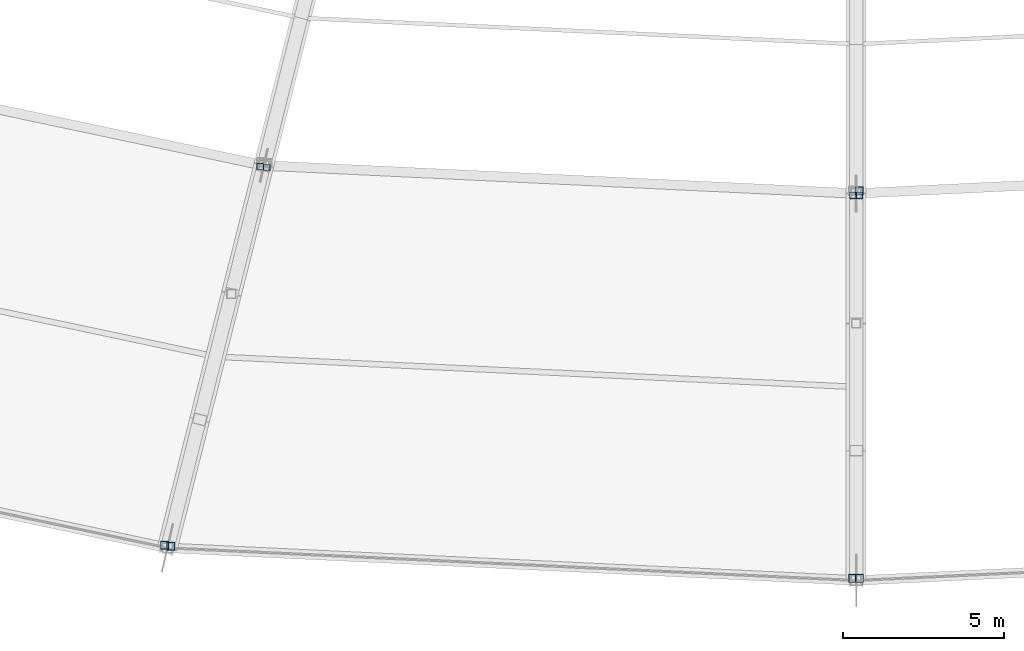
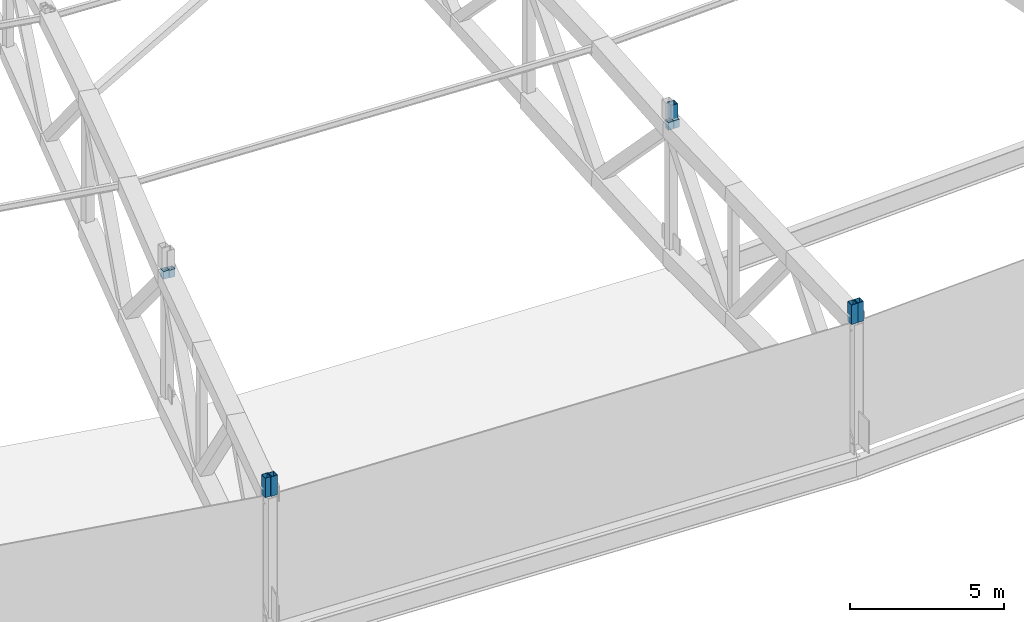
# One storey, part 97 of 162: 9 members.
"""IFC4 building model written with IfcOpenShell, lengths in metres."""

import ifcopenshell
import ifcopenshell.guid

model = None  # the IFC model being written
_history = None  # IfcOwnerHistory: only IFC2X3 demands one
_inside = {}  # id of a spatial element -> (the spatial element, [elements in it])
_under = {}  # id of a project, library or spatial element -> (it, [spatial elements below it])
_declared = {}  # id of a project -> (the project, [libraries it declares])
_typed = {}  # id of a type object -> (the type object, [elements of that type])
_made_of = {}  # id of a material, layer set ... -> (it, [elements and type objects made of it])


def new_model(schema):
    """Start an empty IFC model of exactly this schema.

    Asked for "IFC4X3", IfcOpenShell would pick the latest addendum, in which some entities
    have other attributes; the version numbers below select the first issue.
    IFC2X3 requires an IfcOwnerHistory on every rooted entity: one is made here for all.
    """
    global model, _history
    if schema == "IFC4X3":
        model = ifcopenshell.file(schema_version=(4, 3, 0, 0))
    else:
        model = ifcopenshell.file(schema=schema)
    _inside.clear()
    _under.clear()
    _declared.clear()
    _typed.clear()
    _made_of.clear()
    _history = None
    if model.schema == "IFC2X3":
        org = make("IfcOrganization", Name="unknown")
        user = make(
            "IfcPersonAndOrganization",
            ThePerson=make("IfcPerson", FamilyName="unknown"),
            TheOrganization=org,
        )
        app = make(
            "IfcApplication",
            ApplicationDeveloper=org,
            Version="unknown",
            ApplicationFullName="unknown",
            ApplicationIdentifier="unknown",
        )
        _history = make(
            "IfcOwnerHistory",
            OwningUser=user,
            OwningApplication=app,
            ChangeAction="ADDED",
            CreationDate=0,
        )
    return model


def make(cls, **values):
    """One entity of the class cls with the attributes given. An attribute that is None is left unset."""
    return model.create_entity(
        cls, **{name: value for name, value in values.items() if value is not None}
    )


def rooted(cls, **values):
    """An entity with a GlobalId (a new one), such as an element, a storey or a relation."""
    return make(cls, GlobalId=ifcopenshell.guid.new(), OwnerHistory=_history, **values)


def si_unit(unit_type, name, prefix=None):
    """IfcSIUnit, for example si_unit("LENGTHUNIT", "METRE", prefix="MILLI")."""
    return make("IfcSIUnit", UnitType=unit_type, Prefix=prefix, Name=name)


def assignment(units):
    """IfcUnitAssignment: the units of a project."""
    return None if units is None else make("IfcUnitAssignment", Units=units)


def point(xyz):
    """IfcCartesianPoint."""
    return None if xyz is None else make("IfcCartesianPoint", Coordinates=xyz)


def direction(xyz):
    """IfcDirection."""
    return None if xyz is None else make("IfcDirection", DirectionRatios=xyz)


def frame(location, z_axis=None, x_axis=None):
    """IfcAxis2Placement3D, a coordinate frame: its origin and axes. An axis left out is left unset."""
    return make(
        "IfcAxis2Placement3D",
        Location=point(location),
        Axis=direction(z_axis),
        RefDirection=direction(x_axis),
    )


def frame_2d(location, x_axis=None):
    """IfcAxis2Placement2D, a coordinate frame in the plane: its origin and x axis."""
    return make(
        "IfcAxis2Placement2D", Location=point(location), RefDirection=direction(x_axis)
    )


def origin():
    """The frame at (0, 0, 0) with its axes left unset."""
    return frame((0.0, 0.0, 0.0))


def origin_2d():
    """The frame at (0, 0) in the plane with its x axis left unset."""
    return frame_2d((0.0, 0.0))


def place(relative_to, where):
    """IfcLocalPlacement: puts the frame where relative to a parent placement (None: the world)."""
    return make(
        "IfcLocalPlacement", PlacementRelTo=relative_to, RelativePlacement=where
    )


def context(
    kind, dimensions, precision=None, world=None, true_north=None, identifier=None
):
    """IfcGeometricRepresentationContext, for example the 3D "Model" context."""
    return make(
        "IfcGeometricRepresentationContext",
        ContextIdentifier=identifier,
        ContextType=kind,
        CoordinateSpaceDimension=dimensions,
        Precision=precision,
        WorldCoordinateSystem=world,
        TrueNorth=true_north,
    )


def subcontext(parent, identifier, kind, view, scale=None):
    """IfcGeometricRepresentationSubContext, for example "Body" below "Model"."""
    return make(
        "IfcGeometricRepresentationSubContext",
        ContextIdentifier=identifier,
        ContextType=kind,
        ParentContext=parent,
        TargetScale=scale,
        TargetView=view,
    )


def project(units=None, contexts=None):
    """IfcProject with its units and contexts."""
    return rooted(
        "IfcProject",
        Name="project",
        RepresentationContexts=contexts,
        UnitsInContext=assignment(units),
    )


def spatial(cls, under=None, at=None, **own):
    """A site, building, storey or space (cls), placed at a placement, below another one or the project."""
    s = rooted(cls, ObjectPlacement=at, **own)
    if under is not None:
        _under.setdefault(under.id(), (under, []))[1].append(s)
    return s


def profile(cls, at=None, kind="AREA", **sizes):
    """A parametric profile (cls). Its sizes go by their IFC names, for example OverallWidth=200.0."""
    return make(cls, ProfileType=kind, Position=at, **sizes)


def hollow_rectangle(**sizes):
    """IfcRectangleHollowProfileDef."""
    return profile("IfcRectangleHollowProfileDef", **sizes)


def extrude(swept, where, along, depth):
    """IfcExtrudedAreaSolid: the profile swept, set in the frame where, extruded along a direction by depth."""
    return make(
        "IfcExtrudedAreaSolid",
        SweptArea=swept,
        Position=where,
        ExtrudedDirection=direction(along),
        Depth=depth,
    )


def shape(context_of_items, identifier, shape_type, items):
    """IfcShapeRepresentation: the items that make up one representation, for example the "Body"."""
    return make(
        "IfcShapeRepresentation",
        ContextOfItems=context_of_items,
        RepresentationIdentifier=identifier,
        RepresentationType=shape_type,
        Items=items,
    )


def material(Name=None, Category=None):
    """IfcMaterial."""
    return make("IfcMaterial", Name=Name, Category=Category)


def material_profile(
    of_material, cross_section, Name=None, Category=None, Priority=None
):
    """IfcMaterialProfile: a cross section and its material."""
    return make(
        "IfcMaterialProfile",
        Name=Name,
        Material=of_material,
        Profile=cross_section,
        Priority=Priority,
        Category=Category,
    )


def profile_set(profiles, Name=None, composite=None):
    """IfcMaterialProfileSet."""
    return make(
        "IfcMaterialProfileSet",
        Name=Name,
        MaterialProfiles=profiles,
        CompositeProfile=composite,
    )


def made_of(thing, what):
    """Note that an element or type object is made of a material, layer set ...; save() writes the relation."""
    if what is not None:
        _made_of.setdefault(what.id(), (what, []))[1].append(thing)
    return thing


def type_object(cls, material=None, **own):
    """A type object (cls), such as IfcWallType, which elements share."""
    return made_of(rooted(cls, **own), material)


def element(
    cls,
    number,
    at=None,
    inside=None,
    cuts=None,
    type_object=None,
    material=None,
    context=None,
    identifier="Body",
    shape_type=None,
    held_by="IfcProductDefinitionShape",
    body=None,
    shapes=None,
    **own,
):
    """One element of the class cls, such as IfcWall. Its Tag is "e" and its number.

    at: its placement. inside: the storey or other place that contains it. cuts: it is an
    opening in that element (IfcRelVoidsElement). A single representation is given by context,
    identifier, shape_type and body (its items); several are given by shapes. held_by: the class
    of the entity that holds the representations. save() writes the other relations.
    """
    e = rooted(cls, Tag="e%d" % number, ObjectPlacement=at, **own)
    if body is not None:
        shapes = [shape(context, identifier, shape_type, body)]
    if shapes is not None:
        e.Representation = make(held_by, Representations=shapes)
    if inside is not None:
        _inside.setdefault(inside.id(), (inside, []))[1].append(e)
    if cuts is not None:
        rooted(
            "IfcRelVoidsElement", RelatingBuildingElement=cuts, RelatedOpeningElement=e
        )
    if type_object is not None:
        _typed.setdefault(type_object.id(), (type_object, []))[1].append(e)
    return made_of(e, material)


def aggregate(whole, parts):
    """IfcRelAggregates: a whole, such as a stair, and the parts it consists of."""
    return rooted("IfcRelAggregates", RelatingObject=whole, RelatedObjects=parts)


def save(model, path):
    """Write the relations noted so far, then the file.

    IfcRelAggregates (storeys below a building ...), IfcRelContainedInSpatialStructure (elements
    in a storey), IfcRelDefinesByType, IfcRelAssociatesMaterial and IfcRelDeclares: one each for
    every whole, place, type object, material and project.
    """
    for whole, parts in _under.values():
        aggregate(whole, parts)
    for where, things in _inside.values():
        rooted(
            "IfcRelContainedInSpatialStructure",
            RelatedElements=things,
            RelatingStructure=where,
        )
    for kind, things in _typed.values():
        rooted("IfcRelDefinesByType", RelatedObjects=things, RelatingType=kind)
    for what, things in _made_of.values():
        rooted("IfcRelAssociatesMaterial", RelatedObjects=things, RelatingMaterial=what)
    for by, libraries in _declared.values():
        rooted("IfcRelDeclares", RelatingContext=by, RelatedDefinitions=libraries)
    model.write(path)


model = new_model("IFC4")

# Units and contexts
model_context = context("Model", 3, precision=1e-05, world=origin(), true_north=direction((0.0, 1.0)))
body_context = subcontext(model_context, "Body", "Model", "MODEL_VIEW")
ifc_project = project(units=[si_unit("LENGTHUNIT", "METRE"), si_unit("AREAUNIT", "SQUARE_METRE"), si_unit("VOLUMEUNIT", "CUBIC_METRE"), si_unit("PLANEANGLEUNIT", "RADIAN"), si_unit("MASSUNIT", "GRAM", prefix="KILO")], contexts=[model_context])

# Site, building, storey
site_placement = place(None, origin())
site = spatial("IfcSite", under=ifc_project, at=site_placement, CompositionType="ELEMENT")
building_placement = place(site_placement, origin())
building = spatial("IfcBuilding", under=site, at=building_placement, Name="Kazemori Nagisa Stadium", CompositionType="ELEMENT")
storey_placement = place(building_placement, frame((0.0, 0.0, 36.719970703125)))
storey = spatial("IfcBuildingStorey", under=building, at=storey_placement, Name="RF", CompositionType="ELEMENT", Elevation=36.719970703125)

# Members
ifc_material = material(Name="Steel STKR490", Category="steel")
ifc_material_profile_1 = material_profile(ifc_material, hollow_rectangle(XDim=0.25, YDim=0.25, WallThickness=0.011962890625, at=origin_2d()), Name="SHS-250x250x12")
ifc_profile_set_1 = profile_set([ifc_material_profile_1], Name="Steel STKR490")
member_type_1 = type_object("IfcMemberType", Name="Member_ST-SHS250", PredefinedType="STUD", material=ifc_profile_set_1)
for number, where, z_axis, x_axis, name in (
    (1, (101.485595703125, 17.095947265625, 5.10009765625), (0.0, 0.0, 1.0), (1.0, 0.0, 0.0), "Canopy bearing stool B20-outer-2"),
    (2, (101.6806640625, 17.06494140625, 5.10009765625), (0.0, 0.0, 1.0), (1.0, 0.0, 0.0), "Canopy bearing stool B21-outer-1"),
    (3, (122.8994140625, 16.0654296875, 5.10009765625), (0.0, 0.0, 1.0), (1.0, 0.0, 0.0), "Canopy bearing stool B21-outer-2"),
    (4, (123.1005859375, 16.0654296875, 5.10009765625), (0.0, 0.0, 1.0), (1.0, 0.0, 0.0), "Canopy bearing stool B22-outer-1"),
):
    element("IfcMember", number, at=place(storey_placement, frame(where, z_axis=z_axis, x_axis=x_axis)), inside=storey, type_object=member_type_1, Name=name, PredefinedType="STUD", context=body_context, shape_type="SweptSolid", body=[
        extrude(hollow_rectangle(XDim=0.25, YDim=0.25, WallThickness=0.011962890625, at=origin_2d()), origin(), (0.0, 0.0, 1.0), 0.77490234375),
    ])
member_placement = place(storey_placement, frame((123.090087890625, 28.119384765625, 5.56005859375), z_axis=(0.0, 0.0, 1.0), x_axis=(1.0, 0.0, 0.0)))
element("IfcMember", 5, at=member_placement, inside=storey, type_object=member_type_1, Name="Canopy bearing stool B22-mid-1", PredefinedType="STUD", context=body_context, shape_type="SweptSolid", body=[
    extrude(hollow_rectangle(XDim=0.25, YDim=0.25, WallThickness=0.011962890625, at=origin_2d()), origin(), (0.0, 0.0, 1.0), 0.85986328125),
])
ifc_material_profile_2 = material_profile(ifc_material, hollow_rectangle(XDim=0.199951171875, YDim=0.199951171875, WallThickness=0.009033203125, at=origin_2d()), Name="SHS-200x200x9")
ifc_profile_set_2 = profile_set([ifc_material_profile_2], Name="Steel STKR490")
member_type_2 = type_object("IfcMemberType", Name="Member_TS-SHS200", PredefinedType="STRUT", material=ifc_profile_set_2)
for number, where, z_axis, x_axis, name in (
    (6, (104.45849609375, 28.873046875, 5.56005859375), (0.0, 0.0, 1.0), (1.0, 0.0, 0.0), "Canopy bearing stool B20-outer-3"),
    (7, (122.895263671875, 27.981689453125, 5.56005859375), (0.0, 0.0, 1.0), (1.0, 0.0, 0.0), "Canopy bearing stool B21-outer-3"),
    (8, (104.667724609375, 28.8388671875, 5.56005859375), (0.0, 0.0, 1.0), (1.0, 0.0, 0.0), "Canopy bearing stool B21-outer-4"),
    (9, (123.104736328125, 27.981689453125, 5.56005859375), (0.0, 0.0, 1.0), (1.0, 0.0, 0.0), "Canopy bearing stool B22-outer-4"),
):
    element("IfcMember", number, at=place(storey_placement, frame(where, z_axis=z_axis, x_axis=x_axis)), inside=storey, type_object=member_type_2, Name=name, PredefinedType="STRUT", context=body_context, shape_type="SweptSolid", body=[
        extrude(hollow_rectangle(XDim=0.199951171875, YDim=0.199951171875, WallThickness=0.009033203125, at=origin_2d()), origin(), (0.0, 0.0, 1.0), 0.31494140625),
    ])

save(model, "model.ifc")
